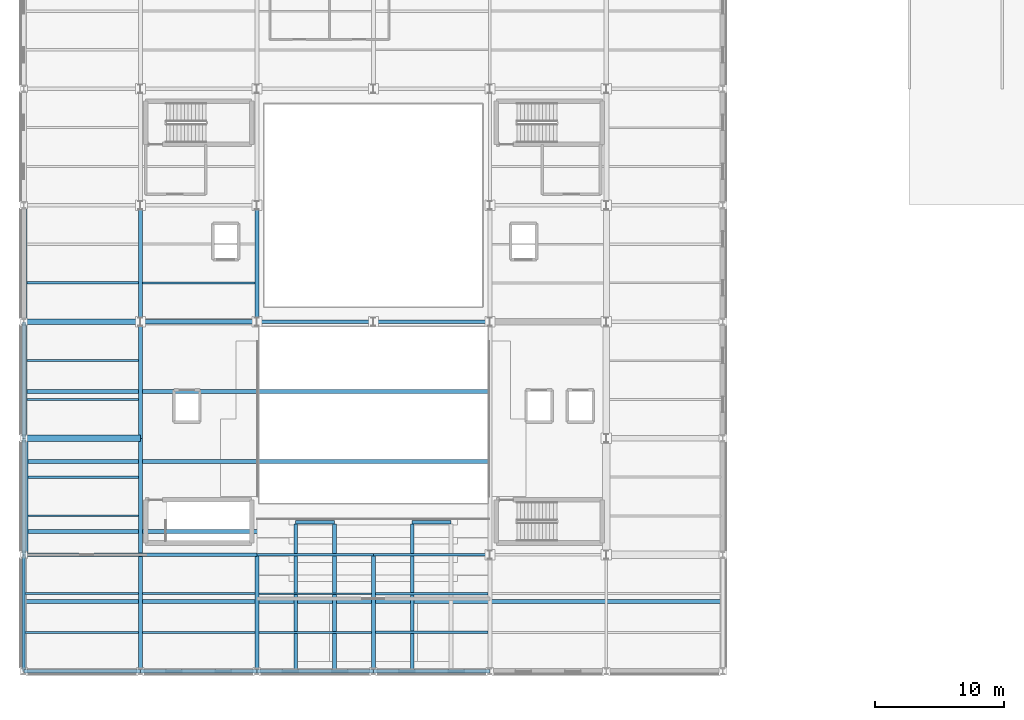
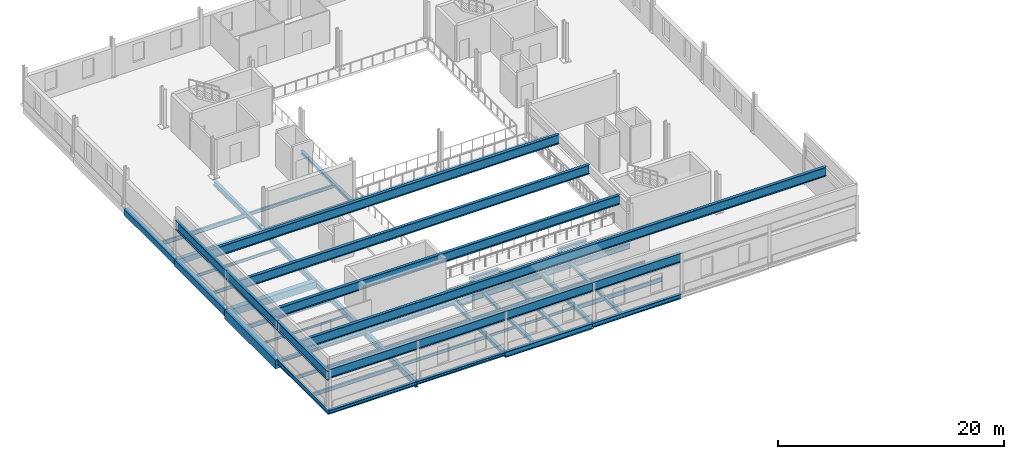
# One storey, part 5 of 17: 54 beams.
"""IFC4 building model written with IfcOpenShell, lengths in metres."""

from ifc_helpers import new_model, si_unit, direction, frame, origin, origin_2d, place, context, subcontext, project, spatial, rectangle, i_section, extrude, material, material_profile, profile_set, type_object, element, save


model = new_model("IFC4")

# Units and contexts
model_context = context("Model", 3, precision=1e-05, world=origin(), true_north=direction((0.0, 1.0)))
body_context = subcontext(model_context, "Body", "Model", "MODEL_VIEW")
ifc_project = project(units=[si_unit("LENGTHUNIT", "METRE"), si_unit("AREAUNIT", "SQUARE_METRE"), si_unit("VOLUMEUNIT", "CUBIC_METRE"), si_unit("PLANEANGLEUNIT", "RADIAN"), si_unit("MASSUNIT", "GRAM", prefix="KILO")], contexts=[model_context])

# Site, building, storey
site_placement = place(None, origin())
site = spatial("IfcSite", under=ifc_project, at=site_placement, CompositionType="ELEMENT")
building_placement = place(site_placement, origin())
building = spatial("IfcBuilding", under=site, at=building_placement, Name="Sundgate Opera House", CompositionType="ELEMENT")
storey_placement = place(building_placement, frame((0.0, 0.0, 26.39990234375)))
storey = spatial("IfcBuildingStorey", under=building, at=storey_placement, Name="L05", CompositionType="ELEMENT", Elevation=26.39990234375)

# Beams
ifc_material_1 = material(Name="Steel S355J2", Category="steel")
ifc_material_profile_1 = material_profile(ifc_material_1, i_section(OverallWidth=0.300048828125, OverallDepth=0.330078125, WebThickness=0.009521484375, FlangeThickness=0.0166015625, at=origin_2d()), Name="HEA 340")
ifc_profile_set_1 = profile_set([ifc_material_profile_1], Name="Steel S355J2")
beam_type_1 = type_object("IfcBeamType", Name="BM-GR-HEA340", PredefinedType="BEAM", material=ifc_profile_set_1)
beam_1_placement = place(storey_placement, frame((36.0, 42.0, -0.4248046875), z_axis=(1.0, 0.0, 0.0), x_axis=(0.0, 1.0, 0.0)))
element("IfcBeam", 1, at=beam_1_placement, inside=storey, type_object=beam_type_1, Name="L05 Primary E-W Girder B3117", PredefinedType="BEAM", context=body_context, shape_type="SweptSolid", body=[
    extrude(i_section(OverallWidth=0.300048828125, OverallDepth=0.330078125, WebThickness=0.009521484375, FlangeThickness=0.0166015625, at=origin_2d()), origin(), (0.0, 0.0, 1.0), 9.0),
])
ifc_material_2 = material(Name="Steel S355J2", Category="steel")
ifc_material_profile_2 = material_profile(ifc_material_2, i_section(OverallWidth=0.300048828125, OverallDepth=0.35009765625, WebThickness=0.010009765625, FlangeThickness=0.017578125, at=origin_2d()), Name="HEA 360")
ifc_profile_set_2 = profile_set([ifc_material_profile_2], Name="Steel S355J2")
beam_type_2 = type_object("IfcBeamType", Name="BM-GR-HEA360", PredefinedType="BEAM", material=ifc_profile_set_2)
beam_2_placement = place(storey_placement, frame((27.0, 42.0, -0.434814453125), z_axis=(1.0, 0.0, 0.0), x_axis=(0.0, 1.0, 0.0)))
element("IfcBeam", 2, at=beam_2_placement, inside=storey, type_object=beam_type_2, Name="L05 Primary E-W Girder B3116", PredefinedType="BEAM", context=body_context, shape_type="SweptSolid", body=[
    extrude(i_section(OverallWidth=0.300048828125, OverallDepth=0.35009765625, WebThickness=0.010009765625, FlangeThickness=0.017578125, at=origin_2d()), origin(), (0.0, 0.0, 1.0), 9.0),
])
ifc_material_3 = material(Name="Steel S355J2", Category="steel")
ifc_material_profile_3 = material_profile(ifc_material_3, i_section(OverallWidth=0.300048828125, OverallDepth=0.43994140625, WebThickness=0.011474609375, FlangeThickness=0.02099609375, at=origin_2d()), Name="HEA 450")
ifc_profile_set_3 = profile_set([ifc_material_profile_3], Name="Steel S355J2")
beam_type_3 = type_object("IfcBeamType", Name="BM-GR-HEA450", PredefinedType="BEAM", material=ifc_profile_set_3)
beam_3_placement = place(storey_placement, frame((54.0, 33.0, -0.47998046875), z_axis=(0.0, 1.0, 0.0), x_axis=(-1.0, 0.0, 0.0)))
element("IfcBeam", 3, at=beam_3_placement, inside=storey, type_object=beam_type_3, Name="L05 Primary N-S Girder B3092", PredefinedType="BEAM", context=body_context, shape_type="SweptSolid", body=[
    extrude(i_section(OverallWidth=0.300048828125, OverallDepth=0.43994140625, WebThickness=0.011474609375, FlangeThickness=0.02099609375, at=origin_2d()), origin(), (0.0, 0.0, 1.0), 9.0),
])
ifc_material_4 = material(Name="Steel S355J2", Category="steel")
ifc_material_profile_4 = material_profile(ifc_material_4, i_section(OverallWidth=0.300048828125, OverallDepth=0.489990234375, WebThickness=0.011962890625, FlangeThickness=0.02294921875, at=origin_2d()), Name="HEA 500")
ifc_profile_set_4 = profile_set([ifc_material_profile_4], Name="Steel S355J2")
beam_type_4 = type_object("IfcBeamType", Name="BM-GR-HEA500", PredefinedType="BEAM", material=ifc_profile_set_4)
beam_4_placement = place(storey_placement, frame((54.0, 33.0, -0.5048828125), z_axis=(1.0, 0.0, 0.0), x_axis=(0.0, 1.0, 0.0)))
element("IfcBeam", 4, at=beam_4_placement, inside=storey, type_object=beam_type_4, Name="L05 Primary E-W Girder B3113", PredefinedType="BEAM", context=body_context, shape_type="SweptSolid", body=[
    extrude(i_section(OverallWidth=0.300048828125, OverallDepth=0.489990234375, WebThickness=0.011962890625, FlangeThickness=0.02294921875, at=origin_2d()), origin(), (0.0, 0.0, 1.0), 9.0),
])
ifc_material_5 = material(Name="Steel S355J2", Category="steel")
ifc_material_profile_5 = material_profile(ifc_material_5, i_section(OverallWidth=0.300048828125, OverallDepth=0.590087890625, WebThickness=0.012939453125, FlangeThickness=0.02490234375, at=origin_2d()), Name="HEA 600")
ifc_profile_set_5 = profile_set([ifc_material_profile_5], Name="Steel S355J2")
beam_type_5 = type_object("IfcBeamType", Name="BM-GR-HEA600", PredefinedType="BEAM", material=ifc_profile_set_5)
beam_5_placement = place(storey_placement, frame((45.0, 33.0, -0.554931640625), z_axis=(1.0, 0.0, 0.0), x_axis=(0.0, 1.0, 0.0)))
element("IfcBeam", 5, at=beam_5_placement, inside=storey, type_object=beam_type_5, Name="L05 Primary E-W Girder B3112", PredefinedType="BEAM", context=body_context, shape_type="SweptSolid", body=[
    extrude(i_section(OverallWidth=0.300048828125, OverallDepth=0.590087890625, WebThickness=0.012939453125, FlangeThickness=0.02490234375, at=origin_2d()), origin(), (0.0, 0.0, 1.0), 9.0),
])
ifc_material_6 = material(Name="Steel S355J2", Category="steel")
ifc_material_profile_6 = material_profile(ifc_material_6, i_section(OverallWidth=0.300048828125, OverallDepth=0.360107421875, WebThickness=0.012451171875, FlangeThickness=0.0224609375, at=origin_2d()), Name="HEB 360")
ifc_profile_set_6 = profile_set([ifc_material_profile_6], Name="Steel S355J2")
beam_type_6 = type_object("IfcBeamType", Name="BM-GR-HEB360", PredefinedType="BEAM", material=ifc_profile_set_6)
for number, where, z_axis, x_axis, name in (
    (6, (45.0, 60.0, -0.43994140625), (0.0, 1.0, 0.0), (-1.0, 0.0, 0.0), "L05 Primary N-S Girder B3089"),
    (7, (36.0, 33.0, -0.43994140625), (1.0, 0.0, 0.0), (0.0, 1.0, 0.0), "L05 Primary E-W Girder B3111"),
):
    element("IfcBeam", number, at=place(storey_placement, frame(where, z_axis=z_axis, x_axis=x_axis)), inside=storey, type_object=beam_type_6, Name=name, PredefinedType="BEAM", context=body_context, shape_type="SweptSolid", body=[
        extrude(i_section(OverallWidth=0.300048828125, OverallDepth=0.360107421875, WebThickness=0.012451171875, FlangeThickness=0.0224609375, at=origin_2d()), origin(), (0.0, 0.0, 1.0), 9.0),
    ])
ifc_material_7 = material(Name="Steel S355J2", Category="steel")
ifc_material_profile_7 = material_profile(ifc_material_7, i_section(OverallWidth=0.300048828125, OverallDepth=0.39990234375, WebThickness=0.013427734375, FlangeThickness=0.02392578125, at=origin_2d()), Name="HEB 400")
ifc_profile_set_7 = profile_set([ifc_material_profile_7], Name="Steel S355J2")
beam_type_7 = type_object("IfcBeamType", Name="BM-GR-HEB400", PredefinedType="BEAM", material=ifc_profile_set_7)
for number, where, z_axis, x_axis, name in (
    (8, (45.0, 33.0, -0.4599609375), (0.0, 1.0, 0.0), (-1.0, 0.0, 0.0), "L05 Primary N-S Girder B3088"),
    (9, (27.0, 33.0, -0.4599609375), (1.0, 0.0, 0.0), (0.0, 1.0, 0.0), "L05 Primary E-W Girder B3110"),
):
    element("IfcBeam", number, at=place(storey_placement, frame(where, z_axis=z_axis, x_axis=x_axis)), inside=storey, type_object=beam_type_7, Name=name, PredefinedType="BEAM", context=body_context, shape_type="SweptSolid", body=[
        extrude(i_section(OverallWidth=0.300048828125, OverallDepth=0.39990234375, WebThickness=0.013427734375, FlangeThickness=0.02392578125, at=origin_2d()), origin(), (0.0, 0.0, 1.0), 9.0),
    ])
ifc_material_8 = material(Name="Steel S355J2", Category="steel")
ifc_material_profile_8 = material_profile(ifc_material_8, i_section(OverallWidth=0.300048828125, OverallDepth=0.550048828125, WebThickness=0.014892578125, FlangeThickness=0.029052734375, at=origin_2d()), Name="HEB 550")
ifc_profile_set_8 = profile_set([ifc_material_profile_8], Name="Steel S355J2")
beam_type_8 = type_object("IfcBeamType", Name="BM-GR-HEB550", PredefinedType="BEAM", material=ifc_profile_set_8)
beam_6_placement = place(storey_placement, frame((36.0, 60.0, -0.534912109375), z_axis=(0.0, 1.0, 0.0), x_axis=(-1.0, 0.0, 0.0)))
element("IfcBeam", 10, at=beam_6_placement, inside=storey, type_object=beam_type_8, Name="L05 Primary N-S Girder B3085", PredefinedType="BEAM", context=body_context, shape_type="SweptSolid", body=[
    extrude(i_section(OverallWidth=0.300048828125, OverallDepth=0.550048828125, WebThickness=0.014892578125, FlangeThickness=0.029052734375, at=origin_2d()), origin(), (0.0, 0.0, 1.0), 9.0),
])
ifc_material_9 = material(Name="Steel S355J2", Category="steel")
ifc_material_profile_9 = material_profile(ifc_material_9, i_section(OverallWidth=0.300048828125, OverallDepth=0.60009765625, WebThickness=0.015380859375, FlangeThickness=0.030029296875, at=origin_2d()), Name="HEB 600")
ifc_profile_set_9 = profile_set([ifc_material_profile_9], Name="Steel S355J2")
beam_type_9 = type_object("IfcBeamType", Name="BM-GR-HEB600", PredefinedType="BEAM", material=ifc_profile_set_9)
beam_7_placement = place(storey_placement, frame((36.0, 51.0, -0.559814453125), z_axis=(0.0, 1.0, 0.0), x_axis=(-1.0, 0.0, 0.0)))
element("IfcBeam", 11, at=beam_7_placement, inside=storey, type_object=beam_type_9, Name="L05 Primary N-S Girder B3084", PredefinedType="BEAM", context=body_context, shape_type="SweptSolid", body=[
    extrude(i_section(OverallWidth=0.300048828125, OverallDepth=0.60009765625, WebThickness=0.015380859375, FlangeThickness=0.030029296875, at=origin_2d()), origin(), (0.0, 0.0, 1.0), 9.0),
])
ifc_material_10 = material(Name="Steel S355J2", Category="steel")
ifc_material_profile_10 = material_profile(ifc_material_10, i_section(OverallWidth=0.300048828125, OverallDepth=0.64990234375, WebThickness=0.01611328125, FlangeThickness=0.031005859375, at=origin_2d()), Name="HEB 650")
ifc_profile_set_10 = profile_set([ifc_material_profile_10], Name="Steel S355J2")
beam_type_10 = type_object("IfcBeamType", Name="BM-GR-HEB650", PredefinedType="BEAM", material=ifc_profile_set_10)
for number, where, z_axis, x_axis, name in (
    (12, (36.0, 42.0, -0.5849609375), (0.0, 1.0, 0.0), (-1.0, 0.0, 0.0), "L05 Primary N-S Girder B3083"),
    (13, (54.0, 60.0, -0.5849609375), (1.0, 0.0, 0.0), (0.0, 1.0, 0.0), "L05 Primary E-W Girder B3127"),
):
    element("IfcBeam", number, at=place(storey_placement, frame(where, z_axis=z_axis, x_axis=x_axis)), inside=storey, type_object=beam_type_10, Name=name, PredefinedType="BEAM", context=body_context, shape_type="SweptSolid", body=[
        extrude(i_section(OverallWidth=0.300048828125, OverallDepth=0.64990234375, WebThickness=0.01611328125, FlangeThickness=0.031005859375, at=origin_2d()), origin(), (0.0, 0.0, 1.0), 9.0),
    ])
ifc_material_11 = material(Name="Steel S355J2", Category="steel")
ifc_material_profile_11 = material_profile(ifc_material_11, i_section(OverallWidth=0.300048828125, OverallDepth=0.699951171875, WebThickness=0.01708984375, FlangeThickness=0.031982421875, at=origin_2d()), Name="HEB 700")
ifc_profile_set_11 = profile_set([ifc_material_profile_11], Name="Steel S355J2")
beam_type_11 = type_object("IfcBeamType", Name="BM-GR-HEB700", PredefinedType="BEAM", material=ifc_profile_set_11)
for number, where, z_axis, x_axis, name in (
    (14, (36.0, 33.0, -0.60986328125), (0.0, 1.0, 0.0), (-1.0, 0.0, 0.0), "L05 Primary N-S Girder B3082"),
    (15, (45.0, 60.0, -0.60986328125), (1.0, 0.0, 0.0), (0.0, 1.0, 0.0), "L05 Primary E-W Girder B3126"),
):
    element("IfcBeam", number, at=place(storey_placement, frame(where, z_axis=z_axis, x_axis=x_axis)), inside=storey, type_object=beam_type_11, Name=name, PredefinedType="BEAM", context=body_context, shape_type="SweptSolid", body=[
        extrude(i_section(OverallWidth=0.300048828125, OverallDepth=0.699951171875, WebThickness=0.01708984375, FlangeThickness=0.031982421875, at=origin_2d()), origin(), (0.0, 0.0, 1.0), 9.0),
    ])
ifc_material_12 = material(Name="Steel S355J2", Category="steel")
ifc_material_profile_12 = material_profile(ifc_material_12, i_section(OverallWidth=0.199951171875, OverallDepth=0.5, WebThickness=0.01025390625, FlangeThickness=0.01611328125, at=origin_2d()), Name="IPE 500")
ifc_profile_set_12 = profile_set([ifc_material_profile_12], Name="Steel S355J2")
beam_type_12 = type_object("IfcBeamType", Name="BM-GR-IPE500", PredefinedType="BEAM", material=ifc_profile_set_12)
beam_8_placement = place(storey_placement, frame((27.0, 33.0, -0.510009765625), z_axis=(0.0, 1.0, 0.0), x_axis=(-1.0, 0.0, 0.0)))
element("IfcBeam", 16, at=beam_8_placement, inside=storey, type_object=beam_type_12, Name="L05 Primary N-S Girder B3076", PredefinedType="BEAM", context=body_context, shape_type="SweptSolid", body=[
    extrude(i_section(OverallWidth=0.199951171875, OverallDepth=0.5, WebThickness=0.01025390625, FlangeThickness=0.01611328125, at=origin_2d()), origin(), (0.0, 0.0, 1.0), 9.0),
])
ifc_material_13 = material(Name="Steel S355J2", Category="steel")
ifc_material_profile_13 = material_profile(ifc_material_13, i_section(OverallWidth=0.2099609375, OverallDepth=0.550048828125, WebThickness=0.010986328125, FlangeThickness=0.01708984375, at=origin_2d()), Name="IPE 550")
ifc_profile_set_13 = profile_set([ifc_material_profile_13], Name="Steel S355J2")
beam_type_13 = type_object("IfcBeamType", Name="BM-GR-IPE550", PredefinedType="BEAM", material=ifc_profile_set_13)
beam_9_placement = place(storey_placement, frame((54.0, 42.0, -0.534912109375), z_axis=(1.0, 0.0, 0.0), x_axis=(0.0, 1.0, 0.0)))
element("IfcBeam", 17, at=beam_9_placement, inside=storey, type_object=beam_type_13, Name="L05 Primary E-W Girder B3119", PredefinedType="BEAM", context=body_context, shape_type="SweptSolid", body=[
    extrude(i_section(OverallWidth=0.2099609375, OverallDepth=0.550048828125, WebThickness=0.010986328125, FlangeThickness=0.01708984375, at=origin_2d()), origin(), (0.0, 0.0, 1.0), 9.0),
])
ifc_material_14 = material(Name="Steel S355J2", Category="steel")
ifc_material_profile_14 = material_profile(ifc_material_14, i_section(OverallWidth=0.219970703125, OverallDepth=0.60009765625, WebThickness=0.011962890625, FlangeThickness=0.01904296875, at=origin_2d()), Name="IPE 600")
ifc_profile_set_14 = profile_set([ifc_material_profile_14], Name="Steel S355J2")
beam_type_14 = type_object("IfcBeamType", Name="BM-GR-IPE600", PredefinedType="BEAM", material=ifc_profile_set_14)
beam_10_placement = place(storey_placement, frame((45.0, 42.0, -0.559814453125), z_axis=(1.0, 0.0, 0.0), x_axis=(0.0, 1.0, 0.0)))
element("IfcBeam", 18, at=beam_10_placement, inside=storey, type_object=beam_type_14, Name="L05 Primary E-W Girder B3118", PredefinedType="BEAM", context=body_context, shape_type="SweptSolid", body=[
    extrude(i_section(OverallWidth=0.219970703125, OverallDepth=0.60009765625, WebThickness=0.011962890625, FlangeThickness=0.01904296875, at=origin_2d()), origin(), (0.0, 0.0, 1.0), 9.0),
])
ifc_material_15 = material(Name="Steel S355J2", Category="steel")
ifc_material_profile_15 = material_profile(ifc_material_15, i_section(OverallWidth=0.1201171875, OverallDepth=0.239990234375, WebThickness=0.006103515625, FlangeThickness=0.009765625, at=origin_2d()), Name="IPE 240")
ifc_profile_set_15 = profile_set([ifc_material_profile_15], Name="Steel S355J2")
beam_type_15 = type_object("IfcBeamType", Name="BM-JS-IPE240", PredefinedType="JOIST", material=ifc_profile_set_15)
beam_11_placement = place(storey_placement, frame((45.14990234375, 39.0, -0.3798828125), z_axis=(1.0, 0.0, 0.0), x_axis=(0.0, 1.0, 0.0)))
element("IfcBeam", 19, at=beam_11_placement, inside=storey, type_object=beam_type_15, Name="L05 Secondary Floor Joist B3151", PredefinedType="JOIST", context=body_context, shape_type="SweptSolid", body=[
    extrude(i_section(OverallWidth=0.1201171875, OverallDepth=0.239990234375, WebThickness=0.006103515625, FlangeThickness=0.009765625, at=origin_2d()), origin(), (0.0, 0.0, 1.0), 8.7001953125),
])
beam_12_placement = place(storey_placement, frame((27.300048828125, 45.0, -0.3798828125), z_axis=(1.0, 0.0, 0.0), x_axis=(0.0, 1.0, 0.0)))
element("IfcBeam", 20, at=beam_12_placement, inside=storey, type_object=beam_type_15, Name="L05 Secondary Floor Joist B3158", PredefinedType="JOIST", context=body_context, shape_type="SweptSolid", body=[
    extrude(i_section(OverallWidth=0.1201171875, OverallDepth=0.239990234375, WebThickness=0.006103515625, FlangeThickness=0.009765625, at=origin_2d()), origin(), (0.0, 0.0, 1.0), 8.550048828125),
])
ifc_material_16 = material(Name="Steel S355J2", Category="steel")
ifc_material_profile_16 = material_profile(ifc_material_16, i_section(OverallWidth=0.135009765625, OverallDepth=0.27001953125, WebThickness=0.006591796875, FlangeThickness=0.01025390625, at=origin_2d()), Name="IPE 270")
ifc_profile_set_16 = profile_set([ifc_material_profile_16], Name="Steel S355J2")
beam_type_16 = type_object("IfcBeamType", Name="BM-JS-IPE270", PredefinedType="JOIST", material=ifc_profile_set_16)
beam_13_placement = place(storey_placement, frame((45.14990234375, 36.0, -0.39501953125), z_axis=(1.0, 0.0, 0.0), x_axis=(0.0, 1.0, 0.0)))
element("IfcBeam", 21, at=beam_13_placement, inside=storey, type_object=beam_type_16, Name="L05 Secondary Floor Joist B3150", PredefinedType="JOIST", context=body_context, shape_type="SweptSolid", body=[
    extrude(i_section(OverallWidth=0.135009765625, OverallDepth=0.27001953125, WebThickness=0.006591796875, FlangeThickness=0.01025390625, at=origin_2d()), origin(), (0.0, 0.0, 1.0), 8.7001953125),
])
ifc_material_17 = material(Name="Steel S355J2", Category="steel")
ifc_material_profile_17 = material_profile(ifc_material_17, i_section(OverallWidth=0.14990234375, OverallDepth=0.300048828125, WebThickness=0.007080078125, FlangeThickness=0.0107421875, at=origin_2d()), Name="IPE 300")
ifc_profile_set_17 = profile_set([ifc_material_profile_17], Name="Steel S355J2")
beam_type_17 = type_object("IfcBeamType", Name="BM-JS-IPE300", PredefinedType="JOIST", material=ifc_profile_set_17)
beam_14_placement = place(storey_placement, frame((36.14990234375, 39.0, -0.409912109375), z_axis=(1.0, 0.0, 0.0), x_axis=(0.0, 1.0, 0.0)))
element("IfcBeam", 22, at=beam_14_placement, inside=storey, type_object=beam_type_17, Name="L05 Secondary Floor Joist B3149", PredefinedType="JOIST", context=body_context, shape_type="SweptSolid", body=[
    extrude(i_section(OverallWidth=0.14990234375, OverallDepth=0.300048828125, WebThickness=0.007080078125, FlangeThickness=0.0107421875, at=origin_2d()), origin(), (0.0, 0.0, 1.0), 8.7001953125),
])
beam_15_placement = place(storey_placement, frame((27.25, 57.0, -0.409912109375), z_axis=(1.0, 0.0, 0.0), x_axis=(0.0, 1.0, 0.0)))
element("IfcBeam", 23, at=beam_15_placement, inside=storey, type_object=beam_type_17, Name="L05 Secondary Floor Joist B3163", PredefinedType="JOIST", context=body_context, shape_type="SweptSolid", body=[
    extrude(i_section(OverallWidth=0.14990234375, OverallDepth=0.300048828125, WebThickness=0.007080078125, FlangeThickness=0.0107421875, at=origin_2d()), origin(), (0.0, 0.0, 1.0), 8.60009765625),
])
ifc_material_18 = material(Name="Steel S355J2", Category="steel")
ifc_material_profile_18 = material_profile(ifc_material_18, i_section(OverallWidth=0.159912109375, OverallDepth=0.330078125, WebThickness=0.007568359375, FlangeThickness=0.011474609375, at=origin_2d()), Name="IPE 330")
ifc_profile_set_18 = profile_set([ifc_material_profile_18], Name="Steel S355J2")
beam_type_18 = type_object("IfcBeamType", Name="BM-JS-IPE330", PredefinedType="JOIST", material=ifc_profile_set_18)
beam_16_placement = place(storey_placement, frame((36.14990234375, 36.0, -0.4248046875), z_axis=(1.0, 0.0, 0.0), x_axis=(0.0, 1.0, 0.0)))
element("IfcBeam", 24, at=beam_16_placement, inside=storey, type_object=beam_type_18, Name="L05 Secondary Floor Joist B3148", PredefinedType="JOIST", context=body_context, shape_type="SweptSolid", body=[
    extrude(i_section(OverallWidth=0.159912109375, OverallDepth=0.330078125, WebThickness=0.007568359375, FlangeThickness=0.011474609375, at=origin_2d()), origin(), (0.0, 0.0, 1.0), 8.7001953125),
])
beam_17_placement = place(storey_placement, frame((27.25, 54.0, -0.4248046875), z_axis=(1.0, 0.0, 0.0), x_axis=(0.0, 1.0, 0.0)))
element("IfcBeam", 25, at=beam_17_placement, inside=storey, type_object=beam_type_18, Name="L05 Secondary Floor Joist B3162", PredefinedType="JOIST", context=body_context, shape_type="SweptSolid", body=[
    extrude(i_section(OverallWidth=0.159912109375, OverallDepth=0.330078125, WebThickness=0.007568359375, FlangeThickness=0.011474609375, at=origin_2d()), origin(), (0.0, 0.0, 1.0), 8.60009765625),
])
ifc_material_19 = material(Name="Steel S355J2", Category="steel")
ifc_material_profile_19 = material_profile(ifc_material_19, i_section(OverallWidth=0.169921875, OverallDepth=0.360107421875, WebThickness=0.008056640625, FlangeThickness=0.0126953125, at=origin_2d()), Name="IPE 360")
ifc_profile_set_19 = profile_set([ifc_material_profile_19], Name="Steel S355J2")
beam_type_19 = type_object("IfcBeamType", Name="BM-JS-IPE360", PredefinedType="JOIST", material=ifc_profile_set_19)
beam_18_placement = place(storey_placement, frame((27.10009765625, 39.0, -0.43994140625), z_axis=(1.0, 0.0, 0.0), x_axis=(0.0, 1.0, 0.0)))
element("IfcBeam", 26, at=beam_18_placement, inside=storey, type_object=beam_type_19, Name="L05 Secondary Floor Joist B3147", PredefinedType="JOIST", context=body_context, shape_type="SweptSolid", body=[
    extrude(i_section(OverallWidth=0.169921875, OverallDepth=0.360107421875, WebThickness=0.008056640625, FlangeThickness=0.0126953125, at=origin_2d()), origin(), (0.0, 0.0, 1.0), 8.75),
])
beam_19_placement = place(storey_placement, frame((36.14990234375, 63.0, -0.43994140625), z_axis=(1.0, 0.0, 0.0), x_axis=(0.0, 1.0, 0.0)))
element("IfcBeam", 27, at=beam_19_placement, inside=storey, type_object=beam_type_19, Name="L05 Secondary Floor Joist B3168", PredefinedType="JOIST", context=body_context, shape_type="SweptSolid", body=[
    extrude(i_section(OverallWidth=0.169921875, OverallDepth=0.360107421875, WebThickness=0.008056640625, FlangeThickness=0.0126953125, at=origin_2d()), origin(), (0.0, 0.0, 1.0), 8.7001953125),
])
ifc_material_20 = material(Name="Steel S355J2", Category="steel")
ifc_material_profile_20 = material_profile(ifc_material_20, i_section(OverallWidth=0.179931640625, OverallDepth=0.39990234375, WebThickness=0.008544921875, FlangeThickness=0.013427734375, at=origin_2d()), Name="IPE 400")
ifc_profile_set_20 = profile_set([ifc_material_profile_20], Name="Steel S355J2")
beam_type_20 = type_object("IfcBeamType", Name="BM-JS-IPE400", PredefinedType="JOIST", material=ifc_profile_set_20)
beam_20_placement = place(storey_placement, frame((27.10009765625, 36.0, -0.4599609375), z_axis=(1.0, 0.0, 0.0), x_axis=(0.0, 1.0, 0.0)))
element("IfcBeam", 28, at=beam_20_placement, inside=storey, type_object=beam_type_20, Name="L05 Secondary Floor Joist B3146", PredefinedType="JOIST", context=body_context, shape_type="SweptSolid", body=[
    extrude(i_section(OverallWidth=0.179931640625, OverallDepth=0.39990234375, WebThickness=0.008544921875, FlangeThickness=0.013427734375, at=origin_2d()), origin(), (0.0, 0.0, 1.0), 8.75),
])
beam_21_placement = place(storey_placement, frame((54.14990234375, 39.0, -0.4599609375), z_axis=(1.0, 0.0, 0.0), x_axis=(0.0, 1.0, 0.0)))
element("IfcBeam", 29, at=beam_21_placement, inside=storey, type_object=beam_type_20, Name="L05 Secondary Floor Joist B3153", PredefinedType="JOIST", context=body_context, shape_type="SweptSolid", body=[
    extrude(i_section(OverallWidth=0.179931640625, OverallDepth=0.39990234375, WebThickness=0.008544921875, FlangeThickness=0.013427734375, at=origin_2d()), origin(), (0.0, 0.0, 1.0), 8.7001953125),
])
ifc_material_21 = material(Name="Steel S355J2", Category="steel")
ifc_material_profile_21 = material_profile(ifc_material_21, i_section(OverallWidth=0.18994140625, OverallDepth=0.449951171875, WebThickness=0.009521484375, FlangeThickness=0.0146484375, at=origin_2d()), Name="IPE 450")
ifc_profile_set_21 = profile_set([ifc_material_profile_21], Name="Steel S355J2")
beam_type_21 = type_object("IfcBeamType", Name="BM-JS-IPE450", PredefinedType="JOIST", material=ifc_profile_set_21)
beam_22_placement = place(storey_placement, frame((54.14990234375, 36.0, -0.48486328125), z_axis=(1.0, 0.0, 0.0), x_axis=(0.0, 1.0, 0.0)))
element("IfcBeam", 30, at=beam_22_placement, inside=storey, type_object=beam_type_21, Name="L05 Secondary Floor Joist B3152", PredefinedType="JOIST", context=body_context, shape_type="SweptSolid", body=[
    extrude(i_section(OverallWidth=0.18994140625, OverallDepth=0.449951171875, WebThickness=0.009521484375, FlangeThickness=0.0146484375, at=origin_2d()), origin(), (0.0, 0.0, 1.0), 8.7001953125),
])
beam_23_placement = place(storey_placement, frame((27.300048828125, 48.0, -0.48486328125), z_axis=(1.0, 0.0, 0.0), x_axis=(0.0, 1.0, 0.0)))
element("IfcBeam", 31, at=beam_23_placement, inside=storey, type_object=beam_type_21, Name="L05 Secondary Floor Joist B3159", PredefinedType="JOIST", context=body_context, shape_type="SweptSolid", body=[
    extrude(i_section(OverallWidth=0.18994140625, OverallDepth=0.449951171875, WebThickness=0.009521484375, FlangeThickness=0.0146484375, at=origin_2d()), origin(), (0.0, 0.0, 1.0), 8.550048828125),
])
beam_24_placement = place(storey_placement, frame((27.22509765625, 63.0, -0.48486328125), z_axis=(1.0, 0.0, 0.0), x_axis=(0.0, 1.0, 0.0)))
element("IfcBeam", 32, at=beam_24_placement, inside=storey, type_object=beam_type_21, Name="L05 Secondary Floor Joist B3166", PredefinedType="JOIST", context=body_context, shape_type="SweptSolid", body=[
    extrude(i_section(OverallWidth=0.18994140625, OverallDepth=0.449951171875, WebThickness=0.009521484375, FlangeThickness=0.0146484375, at=origin_2d()), origin(), (0.0, 0.0, 1.0), 8.625),
])
ifc_material_22 = material(Name="Concrete C35/45", Category="concrete")
ifc_material_profile_22 = material_profile(ifc_material_22, rectangle(XDim=0.35009765625, YDim=0.550048828125, at=origin_2d()), Name="RC 350x550")
ifc_profile_set_22 = profile_set([ifc_material_profile_22], Name="Concrete C35/45")
beam_type_22 = type_object("IfcBeamType", Name="BM-RC-350x550", PredefinedType="BEAM", material=ifc_profile_set_22)
beam_25_placement = place(storey_placement, frame((36.0, 60.0, -0.534912109375), z_axis=(1.0, 0.0, 0.0), x_axis=(0.0, 1.0, 0.0)))
element("IfcBeam", 33, at=beam_25_placement, inside=storey, type_object=beam_type_22, Name="L05 Primary E-W Girder B3125", PredefinedType="BEAM", context=body_context, shape_type="SweptSolid", body=[
    extrude(rectangle(XDim=0.35009765625, YDim=0.550048828125, at=origin_2d()), origin(), (0.0, 0.0, 1.0), 9.0),
])
ifc_material_23 = material(Name="Concrete C35/45", Category="concrete")
ifc_material_profile_23 = material_profile(ifc_material_23, rectangle(XDim=0.39990234375, YDim=0.60009765625, at=origin_2d()), Name="RC 400x600")
ifc_profile_set_23 = profile_set([ifc_material_profile_23], Name="Concrete C35/45")
beam_type_23 = type_object("IfcBeamType", Name="BM-RC-400x600", PredefinedType="BEAM", material=ifc_profile_set_23)
beam_26_placement = place(storey_placement, frame((27.0, 60.0, -0.559814453125), z_axis=(1.0, 0.0, 0.0), x_axis=(0.0, 1.0, 0.0)))
element("IfcBeam", 34, at=beam_26_placement, inside=storey, type_object=beam_type_23, Name="L05 Primary E-W Girder B3124", PredefinedType="BEAM", context=body_context, shape_type="SweptSolid", body=[
    extrude(rectangle(XDim=0.39990234375, YDim=0.60009765625, at=origin_2d()), origin(), (0.0, 0.0, 1.0), 9.0),
])
ifc_material_24 = material(Name="Concrete C35/45", Category="concrete")
ifc_material_profile_24 = material_profile(ifc_material_24, rectangle(XDim=0.449951171875, YDim=0.64990234375, at=origin_2d()), Name="RC 450x650")
ifc_profile_set_24 = profile_set([ifc_material_profile_24], Name="Concrete C35/45")
beam_type_24 = type_object("IfcBeamType", Name="BM-RC-450x650", PredefinedType="BEAM", material=ifc_profile_set_24)
beam_27_placement = place(storey_placement, frame((27.0, 60.0, -0.5849609375), z_axis=(0.0, 1.0, 0.0), x_axis=(-1.0, 0.0, 0.0)))
element("IfcBeam", 35, at=beam_27_placement, inside=storey, type_object=beam_type_24, Name="L05 Primary N-S Girder B3079", PredefinedType="BEAM", context=body_context, shape_type="SweptSolid", body=[
    extrude(rectangle(XDim=0.449951171875, YDim=0.64990234375, at=origin_2d()), origin(), (0.0, 0.0, 1.0), 9.0),
])
ifc_material_25 = material(Name="Concrete C40/50", Category="concrete")
ifc_material_profile_25 = material_profile(ifc_material_25, rectangle(XDim=0.5, YDim=0.75, at=origin_2d()), Name="RC 500x750")
ifc_profile_set_25 = profile_set([ifc_material_profile_25], Name="Concrete C40/50")
beam_type_25 = type_object("IfcBeamType", Name="BM-RC-500x750", PredefinedType="BEAM", material=ifc_profile_set_25)
for number, where, z_axis, x_axis, name in (
    (36, (27.0, 51.0, -0.635009765625), (0.0, 1.0, 0.0), (-1.0, 0.0, 0.0), "L05 Primary N-S Girder B3078"),
    (37, (27.0, 51.0, -0.635009765625), (1.0, 0.0, 0.0), (0.0, 1.0, 0.0), "L05 Primary E-W Girder B3122"),
):
    element("IfcBeam", number, at=place(storey_placement, frame(where, z_axis=z_axis, x_axis=x_axis)), inside=storey, type_object=beam_type_25, Name=name, PredefinedType="BEAM", context=body_context, shape_type="SweptSolid", body=[
        extrude(rectangle(XDim=0.5, YDim=0.75, at=origin_2d()), origin(), (0.0, 0.0, 1.0), 9.0),
    ])
ifc_material_26 = material(Name="Concrete C40/50", Category="concrete")
ifc_material_profile_26 = material_profile(ifc_material_26, rectangle(XDim=0.60009765625, YDim=0.949951171875, at=origin_2d()), Name="RC 600x950")
ifc_profile_set_26 = profile_set([ifc_material_profile_26], Name="Concrete C40/50")
beam_type_26 = type_object("IfcBeamType", Name="BM-RC-600x950", PredefinedType="BEAM", material=ifc_profile_set_26)
beam_28_placement = place(storey_placement, frame((27.0, 42.0, -0.73486328125), z_axis=(0.0, 1.0, 0.0), x_axis=(-1.0, 0.0, 0.0)))
element("IfcBeam", 38, at=beam_28_placement, inside=storey, type_object=beam_type_26, Name="L05 Primary N-S Girder B3077", PredefinedType="BEAM", context=body_context, shape_type="SweptSolid", body=[
    extrude(rectangle(XDim=0.60009765625, YDim=0.949951171875, at=origin_2d()), origin(), (0.0, 0.0, 1.0), 9.0),
])
ifc_material_27 = material(Name="Steel S355J2", Category="steel")
ifc_material_profile_27 = material_profile(ifc_material_27, i_section(OverallWidth=0.260009765625, OverallDepth=0.260009765625, WebThickness=0.010009765625, FlangeThickness=0.017578125, at=origin_2d()), Name="HEB 260")
ifc_profile_set_27 = profile_set([ifc_material_profile_27], Name="Steel S355J2")
beam_type_27 = type_object("IfcBeamType", Name="BM-RK-HEB260", PredefinedType="USERDEFINED", material=ifc_profile_set_27)
for number, where, z_axis, x_axis, name in (
    (39, (48.0, 44.5, -0.389892578125), (1.0, 0.0, 0.0), (0.0, 1.0, 0.0), "L05 Balcony Tip Trimmer Raker B3353"),
    (40, (57.0, 44.5, -0.389892578125), (1.0, 0.0, 0.0), (0.0, 1.0, 0.0), "L05 Balcony Tip Trimmer Raker B3354"),
):
    element("IfcBeam", number, at=place(storey_placement, frame(where, z_axis=z_axis, x_axis=x_axis)), inside=storey, type_object=beam_type_27, Name=name, ObjectType="RAKER", PredefinedType="USERDEFINED", context=body_context, shape_type="SweptSolid", body=[
        extrude(i_section(OverallWidth=0.260009765625, OverallDepth=0.260009765625, WebThickness=0.010009765625, FlangeThickness=0.017578125, at=origin_2d()), origin(), (0.0, 0.0, 1.0), 3.0),
    ])
ifc_material_28 = material(Name="Steel S355J2", Category="steel")
ifc_material_profile_28 = material_profile(ifc_material_28, i_section(OverallWidth=0.300048828125, OverallDepth=0.340087890625, WebThickness=0.011962890625, FlangeThickness=0.021484375, at=origin_2d()), Name="HEB 340")
ifc_profile_set_28 = profile_set([ifc_material_profile_28], Name="Steel S355J2")
beam_type_28 = type_object("IfcBeamType", Name="BM-RK-HEB340", PredefinedType="USERDEFINED", material=ifc_profile_set_28)
for number, where, z_axis, x_axis, name in (
    (41, (48.0, 33.0, -0.429931640625), (0.0, 1.0, 0.0), (-1.0, 0.0, 0.0), "L05 Balcony Cantilever Raker B3349"),
    (42, (51.0, 33.0, -0.429931640625), (0.0, 1.0, 0.0), (-1.0, 0.0, 0.0), "L05 Balcony Cantilever Raker B3350"),
    (43, (57.0, 33.0, -0.429931640625), (0.0, 1.0, 0.0), (-1.0, 0.0, 0.0), "L05 Balcony Cantilever Raker B3351"),
):
    element("IfcBeam", number, at=place(storey_placement, frame(where, z_axis=z_axis, x_axis=x_axis)), inside=storey, type_object=beam_type_28, Name=name, ObjectType="RAKER", PredefinedType="USERDEFINED", context=body_context, shape_type="SweptSolid", body=[
        extrude(i_section(OverallWidth=0.300048828125, OverallDepth=0.340087890625, WebThickness=0.011962890625, FlangeThickness=0.021484375, at=origin_2d()), origin(), (0.0, 0.0, 1.0), 11.3701171875),
    ])
ifc_material_29 = material(Name="Steel S355ML", Category="steel")
ifc_material_profile_29 = material_profile(ifc_material_29, i_section(OverallWidth=0.300048828125, OverallDepth=1.0, WebThickness=0.01904296875, FlangeThickness=0.035888671875, at=origin_2d()), Name="HEB 1000")
ifc_profile_set_29 = profile_set([ifc_material_profile_29], Name="Steel S355ML")
beam_type_29 = type_object("IfcBeamType", Name="BM-TR-HEB1000", PredefinedType="BEAM", material=ifc_profile_set_29)
for number, where, z_axis, x_axis, name in (
    (44, (27.0, 33.0, 3.7001953125), (1.0, 0.0, 0.0), (0.0, 1.0, 0.0), "L05 Auditorium South Gable Girder B3355"),
    (45, (36.0, 33.0, 3.7001953125), (1.0, 0.0, 0.0), (0.0, 1.0, 0.0), "L05 Auditorium South Gable Girder B3356"),
    (46, (45.0, 33.0, 3.7001953125), (1.0, 0.0, 0.0), (0.0, 1.0, 0.0), "L05 Auditorium South Gable Girder B3357"),
    (47, (54.0, 33.0, 3.7001953125), (1.0, 0.0, 0.0), (0.0, 1.0, 0.0), "L05 Auditorium South Gable Girder B3358"),
    (48, (27.0, 33.0, 3.440185546875), (0.0, 1.0, 0.0), (-1.0, 0.0, 0.0), "L05 Auditorium Eaves Collector Girder B3372"),
    (49, (27.0, 42.0, 3.440185546875), (0.0, 1.0, 0.0), (-1.0, 0.0, 0.0), "L05 Auditorium Eaves Collector Girder B3373"),
    (50, (27.0, 51.0, 3.440185546875), (0.0, 1.0, 0.0), (-1.0, 0.0, 0.0), "L05 Auditorium Eaves Collector Girder B3374"),
):
    element("IfcBeam", number, at=place(storey_placement, frame(where, z_axis=z_axis, x_axis=x_axis)), inside=storey, type_object=beam_type_29, Name=name, PredefinedType="BEAM", context=body_context, shape_type="SweptSolid", body=[
        extrude(i_section(OverallWidth=0.300048828125, OverallDepth=1.0, WebThickness=0.01904296875, FlangeThickness=0.035888671875, at=origin_2d()), origin(), (0.0, 0.0, 1.0), 9.0),
    ])
beam_29_placement = place(storey_placement, frame((27.0, 38.39990234375, 3.440185546875), z_axis=(1.0, 0.0, 0.0), x_axis=(0.0, 1.0, 0.0)))
element("IfcBeam", 51, at=beam_29_placement, inside=storey, type_object=beam_type_29, Name="L05 Auditorium Truss Continuous Tie Girder B3383", PredefinedType="BEAM", context=body_context, shape_type="SweptSolid", body=[
    extrude(i_section(OverallWidth=0.300048828125, OverallDepth=1.0, WebThickness=0.01904296875, FlangeThickness=0.035888671875, at=origin_2d()), origin(), (0.0, 0.0, 1.0), 54.0),
])
for number, where, z_axis, x_axis, name in (
    (52, (27.0, 43.800048828125, 3.440185546875), (1.0, 0.0, 0.0), (0.0, 1.0, 0.0), "L05 Auditorium Truss Continuous Tie Girder B3384"),
    (53, (27.0, 49.199951171875, 3.440185546875), (1.0, 0.0, 0.0), (0.0, 1.0, 0.0), "L05 Auditorium Truss Continuous Tie Girder B3385"),
    (54, (27.0, 54.60009765625, 3.440185546875), (1.0, 0.0, 0.0), (0.0, 1.0, 0.0), "L05 Auditorium Truss Continuous Tie Girder B3386"),
):
    element("IfcBeam", number, at=place(storey_placement, frame(where, z_axis=z_axis, x_axis=x_axis)), inside=storey, type_object=beam_type_29, Name=name, PredefinedType="BEAM", context=body_context, shape_type="SweptSolid", body=[
        extrude(i_section(OverallWidth=0.300048828125, OverallDepth=1.0, WebThickness=0.01904296875, FlangeThickness=0.035888671875, at=origin_2d()), origin(), (0.0, 0.0, 1.0), 36.0),
    ])

save(model, "model.ifc")
